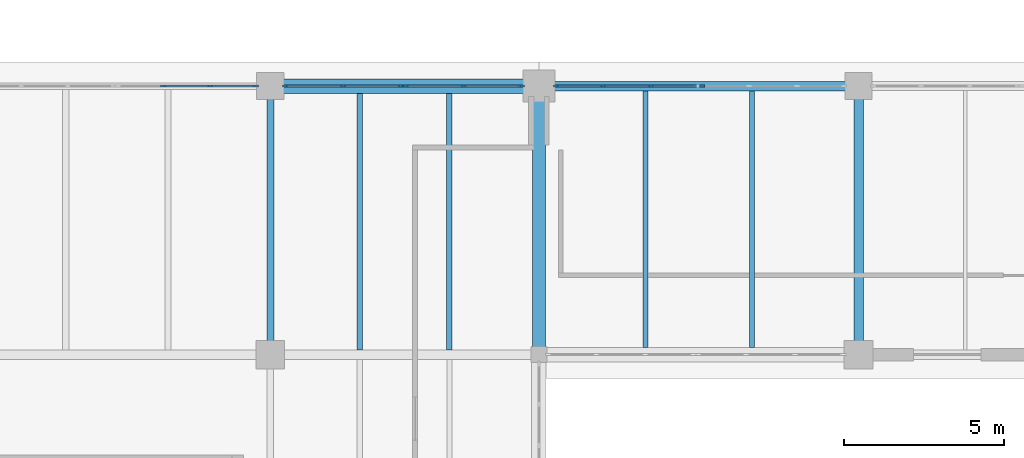
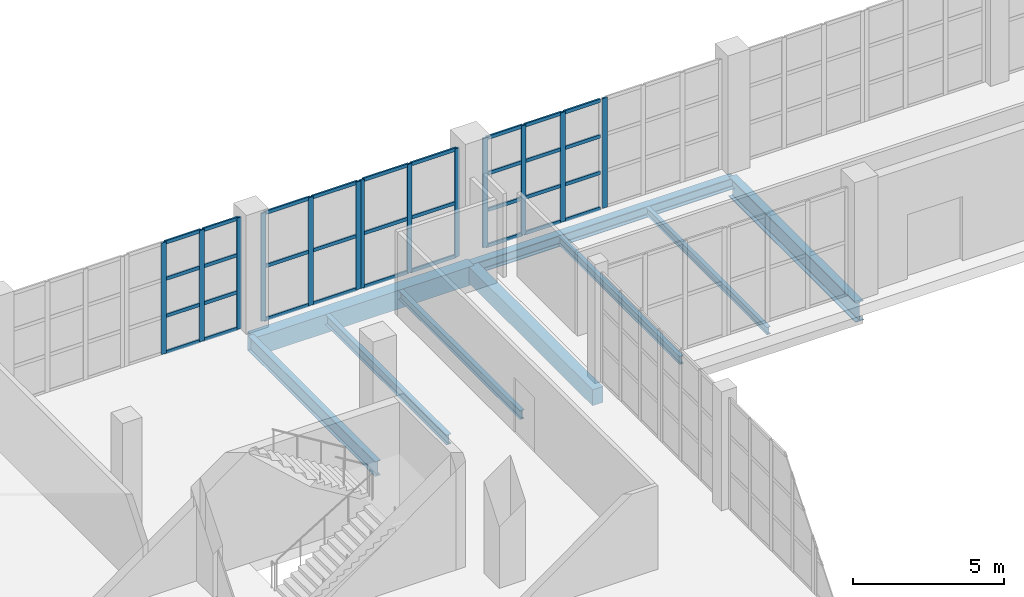
# One storey, part 14 of 121: 45 members, 9 beams, 5 elements without a shape of their own.
"""IFC4 building model written with IfcOpenShell, lengths in metres."""

import ifcopenshell
import ifcopenshell.guid

model = None  # the IFC model being written
_history = None  # IfcOwnerHistory: only IFC2X3 demands one
_inside = {}  # id of a spatial element -> (the spatial element, [elements in it])
_under = {}  # id of a project, library or spatial element -> (it, [spatial elements below it])
_declared = {}  # id of a project -> (the project, [libraries it declares])
_typed = {}  # id of a type object -> (the type object, [elements of that type])
_made_of = {}  # id of a material, layer set ... -> (it, [elements and type objects made of it])


def new_model(schema):
    """Start an empty IFC model of exactly this schema.

    Asked for "IFC4X3", IfcOpenShell would pick the latest addendum, in which some entities
    have other attributes; the version numbers below select the first issue.
    IFC2X3 requires an IfcOwnerHistory on every rooted entity: one is made here for all.
    """
    global model, _history
    if schema == "IFC4X3":
        model = ifcopenshell.file(schema_version=(4, 3, 0, 0))
    else:
        model = ifcopenshell.file(schema=schema)
    _inside.clear()
    _under.clear()
    _declared.clear()
    _typed.clear()
    _made_of.clear()
    _history = None
    if model.schema == "IFC2X3":
        org = make("IfcOrganization", Name="unknown")
        user = make(
            "IfcPersonAndOrganization",
            ThePerson=make("IfcPerson", FamilyName="unknown"),
            TheOrganization=org,
        )
        app = make(
            "IfcApplication",
            ApplicationDeveloper=org,
            Version="unknown",
            ApplicationFullName="unknown",
            ApplicationIdentifier="unknown",
        )
        _history = make(
            "IfcOwnerHistory",
            OwningUser=user,
            OwningApplication=app,
            ChangeAction="ADDED",
            CreationDate=0,
        )
    return model


def make(cls, **values):
    """One entity of the class cls with the attributes given. An attribute that is None is left unset."""
    return model.create_entity(
        cls, **{name: value for name, value in values.items() if value is not None}
    )


def rooted(cls, **values):
    """An entity with a GlobalId (a new one), such as an element, a storey or a relation."""
    return make(cls, GlobalId=ifcopenshell.guid.new(), OwnerHistory=_history, **values)


def si_unit(unit_type, name, prefix=None):
    """IfcSIUnit, for example si_unit("LENGTHUNIT", "METRE", prefix="MILLI")."""
    return make("IfcSIUnit", UnitType=unit_type, Prefix=prefix, Name=name)


def assignment(units):
    """IfcUnitAssignment: the units of a project."""
    return None if units is None else make("IfcUnitAssignment", Units=units)


def point(xyz):
    """IfcCartesianPoint."""
    return None if xyz is None else make("IfcCartesianPoint", Coordinates=xyz)


def direction(xyz):
    """IfcDirection."""
    return None if xyz is None else make("IfcDirection", DirectionRatios=xyz)


def frame(location, z_axis=None, x_axis=None):
    """IfcAxis2Placement3D, a coordinate frame: its origin and axes. An axis left out is left unset."""
    return make(
        "IfcAxis2Placement3D",
        Location=point(location),
        Axis=direction(z_axis),
        RefDirection=direction(x_axis),
    )


def frame_2d(location, x_axis=None):
    """IfcAxis2Placement2D, a coordinate frame in the plane: its origin and x axis."""
    return make(
        "IfcAxis2Placement2D", Location=point(location), RefDirection=direction(x_axis)
    )


def origin():
    """The frame at (0, 0, 0) with its axes left unset."""
    return frame((0.0, 0.0, 0.0))


def origin_2d():
    """The frame at (0, 0) in the plane with its x axis left unset."""
    return frame_2d((0.0, 0.0))


def place(relative_to, where):
    """IfcLocalPlacement: puts the frame where relative to a parent placement (None: the world)."""
    return make(
        "IfcLocalPlacement", PlacementRelTo=relative_to, RelativePlacement=where
    )


def context(
    kind, dimensions, precision=None, world=None, true_north=None, identifier=None
):
    """IfcGeometricRepresentationContext, for example the 3D "Model" context."""
    return make(
        "IfcGeometricRepresentationContext",
        ContextIdentifier=identifier,
        ContextType=kind,
        CoordinateSpaceDimension=dimensions,
        Precision=precision,
        WorldCoordinateSystem=world,
        TrueNorth=true_north,
    )


def subcontext(parent, identifier, kind, view, scale=None):
    """IfcGeometricRepresentationSubContext, for example "Body" below "Model"."""
    return make(
        "IfcGeometricRepresentationSubContext",
        ContextIdentifier=identifier,
        ContextType=kind,
        ParentContext=parent,
        TargetScale=scale,
        TargetView=view,
    )


def project(units=None, contexts=None):
    """IfcProject with its units and contexts."""
    return rooted(
        "IfcProject",
        Name="project",
        RepresentationContexts=contexts,
        UnitsInContext=assignment(units),
    )


def spatial(cls, under=None, at=None, **own):
    """A site, building, storey or space (cls), placed at a placement, below another one or the project."""
    s = rooted(cls, ObjectPlacement=at, **own)
    if under is not None:
        _under.setdefault(under.id(), (under, []))[1].append(s)
    return s


def profile(cls, at=None, kind="AREA", **sizes):
    """A parametric profile (cls). Its sizes go by their IFC names, for example OverallWidth=200.0."""
    return make(cls, ProfileType=kind, Position=at, **sizes)


def rectangle(**sizes):
    """IfcRectangleProfileDef."""
    return profile("IfcRectangleProfileDef", **sizes)


def i_section(**sizes):
    """IfcIShapeProfileDef."""
    return profile("IfcIShapeProfileDef", **sizes)


def extrude(swept, where, along, depth):
    """IfcExtrudedAreaSolid: the profile swept, set in the frame where, extruded along a direction by depth."""
    return make(
        "IfcExtrudedAreaSolid",
        SweptArea=swept,
        Position=where,
        ExtrudedDirection=direction(along),
        Depth=depth,
    )


def shape(context_of_items, identifier, shape_type, items):
    """IfcShapeRepresentation: the items that make up one representation, for example the "Body"."""
    return make(
        "IfcShapeRepresentation",
        ContextOfItems=context_of_items,
        RepresentationIdentifier=identifier,
        RepresentationType=shape_type,
        Items=items,
    )


def material(Name=None, Category=None):
    """IfcMaterial."""
    return make("IfcMaterial", Name=Name, Category=Category)


def layer(
    of_material, thickness, ventilated=None, Name=None, Category=None, Priority=None
):
    """IfcMaterialLayer: one layer of a wall or slab, of a material (None: an air gap)."""
    return make(
        "IfcMaterialLayer",
        Material=of_material,
        LayerThickness=thickness,
        IsVentilated=ventilated,
        Name=Name,
        Category=Category,
        Priority=Priority,
    )


def layer_set(layers, Name=None):
    """IfcMaterialLayerSet."""
    return make("IfcMaterialLayerSet", MaterialLayers=layers, LayerSetName=Name)


def material_profile(
    of_material, cross_section, Name=None, Category=None, Priority=None
):
    """IfcMaterialProfile: a cross section and its material."""
    return make(
        "IfcMaterialProfile",
        Name=Name,
        Material=of_material,
        Profile=cross_section,
        Priority=Priority,
        Category=Category,
    )


def profile_set(profiles, Name=None, composite=None):
    """IfcMaterialProfileSet."""
    return make(
        "IfcMaterialProfileSet",
        Name=Name,
        MaterialProfiles=profiles,
        CompositeProfile=composite,
    )


def made_of(thing, what):
    """Note that an element or type object is made of a material, layer set ...; save() writes the relation."""
    if what is not None:
        _made_of.setdefault(what.id(), (what, []))[1].append(thing)
    return thing


def type_object(cls, material=None, **own):
    """A type object (cls), such as IfcWallType, which elements share."""
    return made_of(rooted(cls, **own), material)


def element(
    cls,
    number,
    at=None,
    inside=None,
    cuts=None,
    type_object=None,
    material=None,
    context=None,
    identifier="Body",
    shape_type=None,
    held_by="IfcProductDefinitionShape",
    body=None,
    shapes=None,
    **own,
):
    """One element of the class cls, such as IfcWall. Its Tag is "e" and its number.

    at: its placement. inside: the storey or other place that contains it. cuts: it is an
    opening in that element (IfcRelVoidsElement). A single representation is given by context,
    identifier, shape_type and body (its items); several are given by shapes. held_by: the class
    of the entity that holds the representations. save() writes the other relations.
    """
    e = rooted(cls, Tag="e%d" % number, ObjectPlacement=at, **own)
    if body is not None:
        shapes = [shape(context, identifier, shape_type, body)]
    if shapes is not None:
        e.Representation = make(held_by, Representations=shapes)
    if inside is not None:
        _inside.setdefault(inside.id(), (inside, []))[1].append(e)
    if cuts is not None:
        rooted(
            "IfcRelVoidsElement", RelatingBuildingElement=cuts, RelatedOpeningElement=e
        )
    if type_object is not None:
        _typed.setdefault(type_object.id(), (type_object, []))[1].append(e)
    return made_of(e, material)


def aggregate(whole, parts):
    """IfcRelAggregates: a whole, such as a stair, and the parts it consists of."""
    return rooted("IfcRelAggregates", RelatingObject=whole, RelatedObjects=parts)


def save(model, path):
    """Write the relations noted so far, then the file.

    IfcRelAggregates (storeys below a building ...), IfcRelContainedInSpatialStructure (elements
    in a storey), IfcRelDefinesByType, IfcRelAssociatesMaterial and IfcRelDeclares: one each for
    every whole, place, type object, material and project.
    """
    for whole, parts in _under.values():
        aggregate(whole, parts)
    for where, things in _inside.values():
        rooted(
            "IfcRelContainedInSpatialStructure",
            RelatedElements=things,
            RelatingStructure=where,
        )
    for kind, things in _typed.values():
        rooted("IfcRelDefinesByType", RelatedObjects=things, RelatingType=kind)
    for what, things in _made_of.values():
        rooted("IfcRelAssociatesMaterial", RelatedObjects=things, RelatingMaterial=what)
    for by, libraries in _declared.values():
        rooted("IfcRelDeclares", RelatingContext=by, RelatedDefinitions=libraries)
    model.write(path)


model = new_model("IFC4")

# Units and contexts
model_context = context("Model", 3, precision=1e-05, world=origin(), true_north=direction((0.0, 1.0)))
body_context = subcontext(model_context, "Body", "Model", "MODEL_VIEW")
ifc_project = project(units=[si_unit("LENGTHUNIT", "METRE"), si_unit("AREAUNIT", "SQUARE_METRE"), si_unit("VOLUMEUNIT", "CUBIC_METRE"), si_unit("PLANEANGLEUNIT", "RADIAN"), si_unit("MASSUNIT", "GRAM", prefix="KILO")], contexts=[model_context])

# Site, building, storey
site_placement = place(None, origin())
site = spatial("IfcSite", under=ifc_project, at=site_placement, CompositionType="ELEMENT")
building_placement = place(site_placement, origin())
building = spatial("IfcBuilding", under=site, at=building_placement, Name="Zereglee Splitstone Museum", CompositionType="ELEMENT")
storey_placement = place(building_placement, origin())
storey = spatial("IfcBuildingStorey", under=building, at=storey_placement, Name="L00", CompositionType="ELEMENT", Elevation=0.0)

# Beam
ifc_material_1 = material(Name="Concrete C40/50", Category="concrete")
ifc_material_profile_1 = material_profile(ifc_material_1, rectangle(XDim=0.39990234375, YDim=0.64990234375, at=origin_2d()), Name="RC 400x650")
ifc_profile_set_1 = profile_set([ifc_material_profile_1], Name="Concrete C40/50")
beam_type_1 = type_object("IfcBeamType", Name="BG-04", PredefinedType="BEAM", material=ifc_profile_set_1)
beam_1_placement = place(storey_placement, frame((48.0, 30.0, -0.7451171875), z_axis=(0.0, 1.0, 0.0), x_axis=(-1.0, 0.0, 0.0)))
element("IfcBeam", 1, at=beam_1_placement, inside=storey, type_object=beam_type_1, Name="Primary Girder L00 7 (30.0-38.4)", PredefinedType="BEAM", context=body_context, shape_type="SweptSolid", body=[
    extrude(rectangle(XDim=0.39990234375, YDim=0.64990234375, at=origin_2d()), origin(), (0.0, 0.0, 1.0), 8.39990234375),
])

# Curtain wall, member
ifc_material_2 = material(Name="Triple-glazed low-E argon glass and bronze-anodised aluminium", Category="aluminium")
ifc_layer_1 = layer(ifc_material_2, 0.179931640625)
ifc_layer_set_1 = layer_set([ifc_layer_1], Name="Triple-glazed low-E argon glass and bronze-anodised aluminium")
curtain_wall_type_1 = type_object("IfcCurtainWallType", Name="CW-0449-444", PredefinedType="USERDEFINED", material=ifc_layer_set_1)
curtain_wall_1_placement = place(storey_placement, origin())
curtain_wall_1 = element("IfcCurtainWall", 2, at=curtain_wall_1_placement, inside=storey, type_object=curtain_wall_type_1, Name="Glazed Curtain Wall CW-0449-444 (L00)", ObjectType="GLAZED CURTAIN WALL", PredefinedType="USERDEFINED")
ifc_material_3 = material(Name="Thermally broken bronze-anodised aluminium", Category="aluminium")
ifc_material_profile_2 = material_profile(ifc_material_3, rectangle(XDim=0.06494140625, YDim=0.179931640625, at=origin_2d()), Name="CW MULL 65x180")
ifc_profile_set_2 = profile_set([ifc_material_profile_2], Name="Thermally broken bronze-anodised aluminium")
member_type_1 = type_object("IfcMemberType", Name="CWM-01", PredefinedType="MULLION", material=ifc_profile_set_2)
member_1_placement = place(storey_placement, frame((53.110107421875, 38.39990234375, 0.0), z_axis=(0.0, 0.0, 1.0), x_axis=(0.0, -1.0, 0.0)))
member_1 = element("IfcMember", 3, at=member_1_placement, type_object=member_type_1, Name="CW-0449-444 mullion 4", PredefinedType="MULLION", context=body_context, shape_type="SweptSolid", body=[
    extrude(rectangle(XDim=0.06494140625, YDim=0.179931640625, at=origin_2d()), origin(), (0.0, 0.0, 1.0), 4.43994140625),
])
aggregate(curtain_wall_1, [member_1])

# Curtain wall, members
ifc_layer_2 = layer(ifc_material_2, 0.179931640625)
ifc_layer_set_2 = layer_set([ifc_layer_2], Name="Triple-glazed low-E argon glass and bronze-anodised aluminium")
curtain_wall_type_2 = type_object("IfcCurtainWallType", Name="CW-0449-442", PredefinedType="USERDEFINED", material=ifc_layer_set_2)
curtain_wall_2_placement = place(storey_placement, origin())
curtain_wall_2 = element("IfcCurtainWall", 4, at=curtain_wall_2_placement, inside=storey, type_object=curtain_wall_type_2, Name="Glazed Curtain Wall CW-0449-442 (L00)", ObjectType="GLAZED CURTAIN WALL", PredefinedType="USERDEFINED")
member_2_placement = place(storey_placement, frame((51.5009765625, 38.39990234375, 0.0), z_axis=(0.0, 0.0, 1.0), x_axis=(0.0, -1.0, 0.0)))
member_2 = element("IfcMember", 5, at=member_2_placement, type_object=member_type_1, Name="CW-0449-442 mullion 2", PredefinedType="MULLION", context=body_context, shape_type="SweptSolid", body=[
    extrude(rectangle(XDim=0.06494140625, YDim=0.179931640625, at=origin_2d()), origin(), (0.0, 0.0, 1.0), 4.419921875),
])
member_3_placement = place(storey_placement, frame((50.00439453125, 38.39990234375, 0.0), z_axis=(0.0, 0.0, 1.0), x_axis=(0.0, -1.0, 0.0)))
member_3 = element("IfcMember", 6, at=member_3_placement, type_object=member_type_1, Name="CW-0449-442 mullion 3", PredefinedType="MULLION", context=body_context, shape_type="SweptSolid", body=[
    extrude(rectangle(XDim=0.06494140625, YDim=0.179931640625, at=origin_2d()), origin(), (0.0, 0.0, 1.0), 4.419921875),
])
member_4_placement = place(storey_placement, frame((48.54052734375, 38.39990234375, 0.0), z_axis=(0.0, 0.0, 1.0), x_axis=(0.0, -1.0, 0.0)))
member_4 = element("IfcMember", 7, at=member_4_placement, type_object=member_type_1, Name="CW-0449-442 mullion 4", PredefinedType="MULLION", context=body_context, shape_type="SweptSolid", body=[
    extrude(rectangle(XDim=0.06494140625, YDim=0.179931640625, at=origin_2d()), origin(), (0.0, 0.0, 1.0), 4.419921875),
])

ifc_layer_3 = layer(ifc_material_2, 0.179931640625)
ifc_layer_set_3 = layer_set([ifc_layer_3], Name="Triple-glazed low-E argon glass and bronze-anodised aluminium")
curtain_wall_type_3 = type_object("IfcCurtainWallType", Name="CW-0369-438", PredefinedType="USERDEFINED", material=ifc_layer_set_3)
curtain_wall_3_placement = place(storey_placement, origin())
curtain_wall_3 = element("IfcCurtainWall", 8, at=curtain_wall_3_placement, inside=storey, type_object=curtain_wall_type_3, Name="Glazed Curtain Wall CW-0369-438 (L00)", ObjectType="GLAZED CURTAIN WALL", PredefinedType="USERDEFINED")
member_5_placement = place(storey_placement, frame((47.45947265625, 38.39990234375, 0.0), z_axis=(0.0, 0.0, 1.0), x_axis=(0.0, -1.0, 0.0)))
member_5 = element("IfcMember", 9, at=member_5_placement, type_object=member_type_1, Name="CW-0369-438 mullion 1", PredefinedType="MULLION", context=body_context, shape_type="SweptSolid", body=[
    extrude(rectangle(XDim=0.06494140625, YDim=0.179931640625, at=origin_2d()), origin(), (0.0, 0.0, 1.0), 4.3798828125),
])
member_6_placement = place(storey_placement, frame((45.647216796875, 38.39990234375, 0.0), z_axis=(0.0, 0.0, 1.0), x_axis=(0.0, -1.0, 0.0)))
member_6 = element("IfcMember", 10, at=member_6_placement, type_object=member_type_1, Name="CW-0369-438 mullion 2", PredefinedType="MULLION", context=body_context, shape_type="SweptSolid", body=[
    extrude(rectangle(XDim=0.06494140625, YDim=0.179931640625, at=origin_2d()), origin(), (0.0, 0.0, 1.0), 4.3798828125),
])
member_7_placement = place(storey_placement, frame((43.8349609375, 38.39990234375, 0.0), z_axis=(0.0, 0.0, 1.0), x_axis=(0.0, -1.0, 0.0)))
member_7 = element("IfcMember", 11, at=member_7_placement, type_object=member_type_1, Name="CW-0369-438 mullion 3", PredefinedType="MULLION", context=body_context, shape_type="SweptSolid", body=[
    extrude(rectangle(XDim=0.06494140625, YDim=0.179931640625, at=origin_2d()), origin(), (0.0, 0.0, 1.0), 4.3798828125),
])

ifc_layer_4 = layer(ifc_material_2, 0.179931640625)
ifc_layer_set_4 = layer_set([ifc_layer_4], Name="Triple-glazed low-E argon glass and bronze-anodised aluminium")
curtain_wall_type_4 = type_object("IfcCurtainWallType", Name="CW-0369-436", PredefinedType="USERDEFINED", material=ifc_layer_set_4)
curtain_wall_4_placement = place(storey_placement, origin())
curtain_wall_4 = element("IfcCurtainWall", 12, at=curtain_wall_4_placement, inside=storey, type_object=curtain_wall_type_4, Name="Glazed Curtain Wall CW-0369-436 (L00)", ObjectType="GLAZED CURTAIN WALL", PredefinedType="USERDEFINED")
member_8_placement = place(storey_placement, frame((43.68994140625, 38.39990234375, 0.0), z_axis=(0.0, 0.0, 1.0), x_axis=(0.0, -1.0, 0.0)))
member_8 = element("IfcMember", 13, at=member_8_placement, type_object=member_type_1, Name="CW-0369-436 mullion 1", PredefinedType="MULLION", context=body_context, shape_type="SweptSolid", body=[
    extrude(rectangle(XDim=0.06494140625, YDim=0.179931640625, at=origin_2d()), origin(), (0.0, 0.0, 1.0), 4.360107421875),
])
member_9_placement = place(storey_placement, frame((41.877685546875, 38.39990234375, 0.0), z_axis=(0.0, 0.0, 1.0), x_axis=(0.0, -1.0, 0.0)))
member_9 = element("IfcMember", 14, at=member_9_placement, type_object=member_type_1, Name="CW-0369-436 mullion 2", PredefinedType="MULLION", context=body_context, shape_type="SweptSolid", body=[
    extrude(rectangle(XDim=0.06494140625, YDim=0.179931640625, at=origin_2d()), origin(), (0.0, 0.0, 1.0), 4.360107421875),
])
member_10_placement = place(storey_placement, frame((40.0654296875, 38.39990234375, 0.0), z_axis=(0.0, 0.0, 1.0), x_axis=(0.0, -1.0, 0.0)))
member_10 = element("IfcMember", 15, at=member_10_placement, type_object=member_type_1, Name="CW-0369-436 mullion 3", PredefinedType="MULLION", context=body_context, shape_type="SweptSolid", body=[
    extrude(rectangle(XDim=0.06494140625, YDim=0.179931640625, at=origin_2d()), origin(), (0.0, 0.0, 1.0), 4.360107421875),
])

ifc_layer_5 = layer(ifc_material_2, 0.179931640625)
ifc_layer_set_5 = layer_set([ifc_layer_5], Name="Triple-glazed low-E argon glass and bronze-anodised aluminium")
curtain_wall_type_5 = type_object("IfcCurtainWallType", Name="CW-0436-450", PredefinedType="USERDEFINED", material=ifc_layer_set_5)
curtain_wall_5_placement = place(storey_placement, origin())
curtain_wall_5 = element("IfcCurtainWall", 16, at=curtain_wall_5_placement, inside=storey, type_object=curtain_wall_type_5, Name="Glazed Curtain Wall CW-0436-450 (L00)", ObjectType="GLAZED CURTAIN WALL", PredefinedType="USERDEFINED")
member_11_placement = place(storey_placement, frame((39.134521484375, 38.39990234375, 0.0), z_axis=(0.0, 0.0, 1.0), x_axis=(0.0, -1.0, 0.0)))
member_11 = element("IfcMember", 17, at=member_11_placement, type_object=member_type_1, Name="CW-0436-450 mullion 1", PredefinedType="MULLION", context=body_context, shape_type="SweptSolid", body=[
    extrude(rectangle(XDim=0.06494140625, YDim=0.179931640625, at=origin_2d()), origin(), (0.0, 0.0, 1.0), 4.5),
])
member_12_placement = place(storey_placement, frame((37.712158203125, 38.39990234375, 0.0), z_axis=(0.0, 0.0, 1.0), x_axis=(0.0, -1.0, 0.0)))
member_12 = element("IfcMember", 18, at=member_12_placement, type_object=member_type_1, Name="CW-0436-450 mullion 2", PredefinedType="MULLION", context=body_context, shape_type="SweptSolid", body=[
    extrude(rectangle(XDim=0.06494140625, YDim=0.179931640625, at=origin_2d()), origin(), (0.0, 0.0, 1.0), 4.5),
])
member_13_placement = place(storey_placement, frame((36.25732421875, 38.39990234375, 0.0), z_axis=(0.0, 0.0, 1.0), x_axis=(0.0, -1.0, 0.0)))
member_13 = element("IfcMember", 19, at=member_13_placement, type_object=member_type_1, Name="CW-0436-450 mullion 3", PredefinedType="MULLION", context=body_context, shape_type="SweptSolid", body=[
    extrude(rectangle(XDim=0.06494140625, YDim=0.179931640625, at=origin_2d()), origin(), (0.0, 0.0, 1.0), 4.5),
])

# Member
ifc_material_profile_3 = material_profile(ifc_material_3, rectangle(XDim=0.06494140625, YDim=0.139892578125, at=origin_2d()), Name="CW TRAN 65x140")
ifc_profile_set_3 = profile_set([ifc_material_profile_3], Name="Thermally broken bronze-anodised aluminium")
member_type_2 = type_object("IfcMemberType", Name="CWT-01", PredefinedType="USERDEFINED", material=ifc_profile_set_3)
member_14_placement = place(storey_placement, frame((52.9326171875, 38.39990234375, 0.032470703125), z_axis=(-1.0, 0.0, 0.0), x_axis=(0.0, -1.0, 0.0)))
member_14 = element("IfcMember", 20, at=member_14_placement, type_object=member_type_2, Name="CW-0449-442 transom 1.1", ObjectType="TRANSOM", PredefinedType="USERDEFINED", context=body_context, shape_type="SweptSolid", body=[
    extrude(rectangle(XDim=0.06494140625, YDim=0.139892578125, at=origin_2d()), origin(), (0.0, 0.0, 1.0), 1.399169921875),
])

member_15_placement = place(storey_placement, frame((52.9326171875, 38.39990234375, 1.473388671875), z_axis=(-1.0, 0.0, 0.0), x_axis=(0.0, -1.0, 0.0)))
member_15 = element("IfcMember", 21, at=member_15_placement, type_object=member_type_2, Name="CW-0449-442 transom 1.2", ObjectType="TRANSOM", PredefinedType="USERDEFINED", context=body_context, shape_type="SweptSolid", body=[
    extrude(rectangle(XDim=0.06494140625, YDim=0.139892578125, at=origin_2d()), origin(), (0.0, 0.0, 1.0), 1.399169921875),
])

member_16_placement = place(storey_placement, frame((52.9326171875, 38.39990234375, 2.94677734375), z_axis=(-1.0, 0.0, 0.0), x_axis=(0.0, -1.0, 0.0)))
member_16 = element("IfcMember", 22, at=member_16_placement, type_object=member_type_2, Name="CW-0449-442 transom 1.3", ObjectType="TRANSOM", PredefinedType="USERDEFINED", context=body_context, shape_type="SweptSolid", body=[
    extrude(rectangle(XDim=0.06494140625, YDim=0.139892578125, at=origin_2d()), origin(), (0.0, 0.0, 1.0), 1.399169921875),
])

member_17_placement = place(storey_placement, frame((52.9326171875, 38.39990234375, 4.387451171875), z_axis=(-1.0, 0.0, 0.0), x_axis=(0.0, -1.0, 0.0)))
member_17 = element("IfcMember", 23, at=member_17_placement, type_object=member_type_2, Name="CW-0449-442 transom 1.4", ObjectType="TRANSOM", PredefinedType="USERDEFINED", context=body_context, shape_type="SweptSolid", body=[
    extrude(rectangle(XDim=0.06494140625, YDim=0.139892578125, at=origin_2d()), origin(), (0.0, 0.0, 1.0), 1.399169921875),
])

member_18_placement = place(storey_placement, frame((51.468505859375, 38.39990234375, 0.032470703125), z_axis=(-1.0, 0.0, 0.0), x_axis=(0.0, -1.0, 0.0)))
member_18 = element("IfcMember", 24, at=member_18_placement, type_object=member_type_2, Name="CW-0449-442 transom 2.1", ObjectType="TRANSOM", PredefinedType="USERDEFINED", context=body_context, shape_type="SweptSolid", body=[
    extrude(rectangle(XDim=0.06494140625, YDim=0.139892578125, at=origin_2d()), origin(), (0.0, 0.0, 1.0), 1.431396484375),
])

member_19_placement = place(storey_placement, frame((51.468505859375, 38.39990234375, 1.473388671875), z_axis=(-1.0, 0.0, 0.0), x_axis=(0.0, -1.0, 0.0)))
member_19 = element("IfcMember", 25, at=member_19_placement, type_object=member_type_2, Name="CW-0449-442 transom 2.2", ObjectType="TRANSOM", PredefinedType="USERDEFINED", context=body_context, shape_type="SweptSolid", body=[
    extrude(rectangle(XDim=0.06494140625, YDim=0.139892578125, at=origin_2d()), origin(), (0.0, 0.0, 1.0), 1.431396484375),
])

member_20_placement = place(storey_placement, frame((51.468505859375, 38.39990234375, 2.94677734375), z_axis=(-1.0, 0.0, 0.0), x_axis=(0.0, -1.0, 0.0)))
member_20 = element("IfcMember", 26, at=member_20_placement, type_object=member_type_2, Name="CW-0449-442 transom 2.3", ObjectType="TRANSOM", PredefinedType="USERDEFINED", context=body_context, shape_type="SweptSolid", body=[
    extrude(rectangle(XDim=0.06494140625, YDim=0.139892578125, at=origin_2d()), origin(), (0.0, 0.0, 1.0), 1.431396484375),
])

member_21_placement = place(storey_placement, frame((51.468505859375, 38.39990234375, 4.387451171875), z_axis=(-1.0, 0.0, 0.0), x_axis=(0.0, -1.0, 0.0)))
member_21 = element("IfcMember", 27, at=member_21_placement, type_object=member_type_2, Name="CW-0449-442 transom 2.4", ObjectType="TRANSOM", PredefinedType="USERDEFINED", context=body_context, shape_type="SweptSolid", body=[
    extrude(rectangle(XDim=0.06494140625, YDim=0.139892578125, at=origin_2d()), origin(), (0.0, 0.0, 1.0), 1.431396484375),
])

member_22_placement = place(storey_placement, frame((49.971923828125, 38.39990234375, 0.032470703125), z_axis=(-1.0, 0.0, 0.0), x_axis=(0.0, -1.0, 0.0)))
member_22 = element("IfcMember", 28, at=member_22_placement, type_object=member_type_2, Name="CW-0449-442 transom 3.1", ObjectType="TRANSOM", PredefinedType="USERDEFINED", context=body_context, shape_type="SweptSolid", body=[
    extrude(rectangle(XDim=0.06494140625, YDim=0.139892578125, at=origin_2d()), origin(), (0.0, 0.0, 1.0), 1.39892578125),
])

member_23_placement = place(storey_placement, frame((49.971923828125, 38.39990234375, 1.473388671875), z_axis=(-1.0, 0.0, 0.0), x_axis=(0.0, -1.0, 0.0)))
member_23 = element("IfcMember", 29, at=member_23_placement, type_object=member_type_2, Name="CW-0449-442 transom 3.2", ObjectType="TRANSOM", PredefinedType="USERDEFINED", context=body_context, shape_type="SweptSolid", body=[
    extrude(rectangle(XDim=0.06494140625, YDim=0.139892578125, at=origin_2d()), origin(), (0.0, 0.0, 1.0), 1.39892578125),
])

member_24_placement = place(storey_placement, frame((49.971923828125, 38.39990234375, 2.94677734375), z_axis=(-1.0, 0.0, 0.0), x_axis=(0.0, -1.0, 0.0)))
member_24 = element("IfcMember", 30, at=member_24_placement, type_object=member_type_2, Name="CW-0449-442 transom 3.3", ObjectType="TRANSOM", PredefinedType="USERDEFINED", context=body_context, shape_type="SweptSolid", body=[
    extrude(rectangle(XDim=0.06494140625, YDim=0.139892578125, at=origin_2d()), origin(), (0.0, 0.0, 1.0), 1.39892578125),
])

member_25_placement = place(storey_placement, frame((49.971923828125, 38.39990234375, 4.387451171875), z_axis=(-1.0, 0.0, 0.0), x_axis=(0.0, -1.0, 0.0)))
member_25 = element("IfcMember", 31, at=member_25_placement, type_object=member_type_2, Name="CW-0449-442 transom 3.4", ObjectType="TRANSOM", PredefinedType="USERDEFINED", context=body_context, shape_type="SweptSolid", body=[
    extrude(rectangle(XDim=0.06494140625, YDim=0.139892578125, at=origin_2d()), origin(), (0.0, 0.0, 1.0), 1.39892578125),
])

aggregate(curtain_wall_2, [member_2, member_3, member_4, member_14, member_15, member_16, member_17, member_18, member_19, member_20, member_21, member_22, member_23, member_24, member_25])

member_26_placement = place(storey_placement, frame((47.427001953125, 38.39990234375, 0.032470703125), z_axis=(-1.0, 0.0, 0.0), x_axis=(0.0, -1.0, 0.0)))
member_26 = element("IfcMember", 32, at=member_26_placement, type_object=member_type_2, Name="CW-0369-438 transom 1.1", ObjectType="TRANSOM", PredefinedType="USERDEFINED", context=body_context, shape_type="SweptSolid", body=[
    extrude(rectangle(XDim=0.06494140625, YDim=0.139892578125, at=origin_2d()), origin(), (0.0, 0.0, 1.0), 1.747314453125),
])

member_27_placement = place(storey_placement, frame((47.427001953125, 38.39990234375, 2.18994140625), z_axis=(-1.0, 0.0, 0.0), x_axis=(0.0, -1.0, 0.0)))
member_27 = element("IfcMember", 33, at=member_27_placement, type_object=member_type_2, Name="CW-0369-438 transom 1.2", ObjectType="TRANSOM", PredefinedType="USERDEFINED", context=body_context, shape_type="SweptSolid", body=[
    extrude(rectangle(XDim=0.06494140625, YDim=0.139892578125, at=origin_2d()), origin(), (0.0, 0.0, 1.0), 1.747314453125),
])

member_28_placement = place(storey_placement, frame((47.427001953125, 38.39990234375, 4.347412109375), z_axis=(-1.0, 0.0, 0.0), x_axis=(0.0, -1.0, 0.0)))
member_28 = element("IfcMember", 34, at=member_28_placement, type_object=member_type_2, Name="CW-0369-438 transom 1.3", ObjectType="TRANSOM", PredefinedType="USERDEFINED", context=body_context, shape_type="SweptSolid", body=[
    extrude(rectangle(XDim=0.06494140625, YDim=0.139892578125, at=origin_2d()), origin(), (0.0, 0.0, 1.0), 1.747314453125),
])

member_29_placement = place(storey_placement, frame((45.61474609375, 38.39990234375, 0.032470703125), z_axis=(-1.0, 0.0, 0.0), x_axis=(0.0, -1.0, 0.0)))
member_29 = element("IfcMember", 35, at=member_29_placement, type_object=member_type_2, Name="CW-0369-438 transom 2.1", ObjectType="TRANSOM", PredefinedType="USERDEFINED", context=body_context, shape_type="SweptSolid", body=[
    extrude(rectangle(XDim=0.06494140625, YDim=0.139892578125, at=origin_2d()), origin(), (0.0, 0.0, 1.0), 1.747314453125),
])

member_30_placement = place(storey_placement, frame((45.61474609375, 38.39990234375, 2.18994140625), z_axis=(-1.0, 0.0, 0.0), x_axis=(0.0, -1.0, 0.0)))
member_30 = element("IfcMember", 36, at=member_30_placement, type_object=member_type_2, Name="CW-0369-438 transom 2.2", ObjectType="TRANSOM", PredefinedType="USERDEFINED", context=body_context, shape_type="SweptSolid", body=[
    extrude(rectangle(XDim=0.06494140625, YDim=0.139892578125, at=origin_2d()), origin(), (0.0, 0.0, 1.0), 1.747314453125),
])

member_31_placement = place(storey_placement, frame((45.61474609375, 38.39990234375, 4.347412109375), z_axis=(-1.0, 0.0, 0.0), x_axis=(0.0, -1.0, 0.0)))
member_31 = element("IfcMember", 37, at=member_31_placement, type_object=member_type_2, Name="CW-0369-438 transom 2.3", ObjectType="TRANSOM", PredefinedType="USERDEFINED", context=body_context, shape_type="SweptSolid", body=[
    extrude(rectangle(XDim=0.06494140625, YDim=0.139892578125, at=origin_2d()), origin(), (0.0, 0.0, 1.0), 1.747314453125),
])

aggregate(curtain_wall_3, [member_5, member_6, member_7, member_26, member_27, member_28, member_29, member_30, member_31])

member_32_placement = place(storey_placement, frame((43.657470703125, 38.39990234375, 0.032470703125), z_axis=(-1.0, 0.0, 0.0), x_axis=(0.0, -1.0, 0.0)))
member_32 = element("IfcMember", 38, at=member_32_placement, type_object=member_type_2, Name="CW-0369-436 transom 1.1", ObjectType="TRANSOM", PredefinedType="USERDEFINED", context=body_context, shape_type="SweptSolid", body=[
    extrude(rectangle(XDim=0.06494140625, YDim=0.139892578125, at=origin_2d()), origin(), (0.0, 0.0, 1.0), 1.747314453125),
])

member_33_placement = place(storey_placement, frame((43.657470703125, 38.39990234375, 2.179931640625), z_axis=(-1.0, 0.0, 0.0), x_axis=(0.0, -1.0, 0.0)))
member_33 = element("IfcMember", 39, at=member_33_placement, type_object=member_type_2, Name="CW-0369-436 transom 1.2", ObjectType="TRANSOM", PredefinedType="USERDEFINED", context=body_context, shape_type="SweptSolid", body=[
    extrude(rectangle(XDim=0.06494140625, YDim=0.139892578125, at=origin_2d()), origin(), (0.0, 0.0, 1.0), 1.747314453125),
])

member_34_placement = place(storey_placement, frame((43.657470703125, 38.39990234375, 4.327392578125), z_axis=(-1.0, 0.0, 0.0), x_axis=(0.0, -1.0, 0.0)))
member_34 = element("IfcMember", 40, at=member_34_placement, type_object=member_type_2, Name="CW-0369-436 transom 1.3", ObjectType="TRANSOM", PredefinedType="USERDEFINED", context=body_context, shape_type="SweptSolid", body=[
    extrude(rectangle(XDim=0.06494140625, YDim=0.139892578125, at=origin_2d()), origin(), (0.0, 0.0, 1.0), 1.747314453125),
])

member_35_placement = place(storey_placement, frame((41.84521484375, 38.39990234375, 0.032470703125), z_axis=(-1.0, 0.0, 0.0), x_axis=(0.0, -1.0, 0.0)))
member_35 = element("IfcMember", 41, at=member_35_placement, type_object=member_type_2, Name="CW-0369-436 transom 2.1", ObjectType="TRANSOM", PredefinedType="USERDEFINED", context=body_context, shape_type="SweptSolid", body=[
    extrude(rectangle(XDim=0.06494140625, YDim=0.139892578125, at=origin_2d()), origin(), (0.0, 0.0, 1.0), 1.747314453125),
])

member_36_placement = place(storey_placement, frame((41.84521484375, 38.39990234375, 2.179931640625), z_axis=(-1.0, 0.0, 0.0), x_axis=(0.0, -1.0, 0.0)))
member_36 = element("IfcMember", 42, at=member_36_placement, type_object=member_type_2, Name="CW-0369-436 transom 2.2", ObjectType="TRANSOM", PredefinedType="USERDEFINED", context=body_context, shape_type="SweptSolid", body=[
    extrude(rectangle(XDim=0.06494140625, YDim=0.139892578125, at=origin_2d()), origin(), (0.0, 0.0, 1.0), 1.747314453125),
])

member_37_placement = place(storey_placement, frame((41.84521484375, 38.39990234375, 4.327392578125), z_axis=(-1.0, 0.0, 0.0), x_axis=(0.0, -1.0, 0.0)))
member_37 = element("IfcMember", 43, at=member_37_placement, type_object=member_type_2, Name="CW-0369-436 transom 2.3", ObjectType="TRANSOM", PredefinedType="USERDEFINED", context=body_context, shape_type="SweptSolid", body=[
    extrude(rectangle(XDim=0.06494140625, YDim=0.139892578125, at=origin_2d()), origin(), (0.0, 0.0, 1.0), 1.747314453125),
])

aggregate(curtain_wall_4, [member_8, member_9, member_10, member_32, member_33, member_34, member_35, member_36, member_37])

member_38_placement = place(storey_placement, frame((39.10205078125, 38.39990234375, 0.032470703125), z_axis=(-1.0, 0.0, 0.0), x_axis=(0.0, -1.0, 0.0)))
member_38 = element("IfcMember", 44, at=member_38_placement, type_object=member_type_2, Name="CW-0436-450 transom 1.1", ObjectType="TRANSOM", PredefinedType="USERDEFINED", context=body_context, shape_type="SweptSolid", body=[
    extrude(rectangle(XDim=0.06494140625, YDim=0.139892578125, at=origin_2d()), origin(), (0.0, 0.0, 1.0), 1.357421875),
])

member_39_placement = place(storey_placement, frame((39.10205078125, 38.39990234375, 1.5), z_axis=(-1.0, 0.0, 0.0), x_axis=(0.0, -1.0, 0.0)))
member_39 = element("IfcMember", 45, at=member_39_placement, type_object=member_type_2, Name="CW-0436-450 transom 1.2", ObjectType="TRANSOM", PredefinedType="USERDEFINED", context=body_context, shape_type="SweptSolid", body=[
    extrude(rectangle(XDim=0.06494140625, YDim=0.139892578125, at=origin_2d()), origin(), (0.0, 0.0, 1.0), 1.357421875),
])

member_40_placement = place(storey_placement, frame((39.10205078125, 38.39990234375, 3.0), z_axis=(-1.0, 0.0, 0.0), x_axis=(0.0, -1.0, 0.0)))
member_40 = element("IfcMember", 46, at=member_40_placement, type_object=member_type_2, Name="CW-0436-450 transom 1.3", ObjectType="TRANSOM", PredefinedType="USERDEFINED", context=body_context, shape_type="SweptSolid", body=[
    extrude(rectangle(XDim=0.06494140625, YDim=0.139892578125, at=origin_2d()), origin(), (0.0, 0.0, 1.0), 1.357421875),
])

member_41_placement = place(storey_placement, frame((39.10205078125, 38.39990234375, 4.467529296875), z_axis=(-1.0, 0.0, 0.0), x_axis=(0.0, -1.0, 0.0)))
member_41 = element("IfcMember", 47, at=member_41_placement, type_object=member_type_2, Name="CW-0436-450 transom 1.4", ObjectType="TRANSOM", PredefinedType="USERDEFINED", context=body_context, shape_type="SweptSolid", body=[
    extrude(rectangle(XDim=0.06494140625, YDim=0.139892578125, at=origin_2d()), origin(), (0.0, 0.0, 1.0), 1.357421875),
])

member_42_placement = place(storey_placement, frame((37.6796875, 38.39990234375, 0.032470703125), z_axis=(-1.0, 0.0, 0.0), x_axis=(0.0, -1.0, 0.0)))
member_42 = element("IfcMember", 48, at=member_42_placement, type_object=member_type_2, Name="CW-0436-450 transom 2.1", ObjectType="TRANSOM", PredefinedType="USERDEFINED", context=body_context, shape_type="SweptSolid", body=[
    extrude(rectangle(XDim=0.06494140625, YDim=0.139892578125, at=origin_2d()), origin(), (0.0, 0.0, 1.0), 1.389892578125),
])

member_43_placement = place(storey_placement, frame((37.6796875, 38.39990234375, 1.5), z_axis=(-1.0, 0.0, 0.0), x_axis=(0.0, -1.0, 0.0)))
member_43 = element("IfcMember", 49, at=member_43_placement, type_object=member_type_2, Name="CW-0436-450 transom 2.2", ObjectType="TRANSOM", PredefinedType="USERDEFINED", context=body_context, shape_type="SweptSolid", body=[
    extrude(rectangle(XDim=0.06494140625, YDim=0.139892578125, at=origin_2d()), origin(), (0.0, 0.0, 1.0), 1.389892578125),
])

member_44_placement = place(storey_placement, frame((37.6796875, 38.39990234375, 3.0), z_axis=(-1.0, 0.0, 0.0), x_axis=(0.0, -1.0, 0.0)))
member_44 = element("IfcMember", 50, at=member_44_placement, type_object=member_type_2, Name="CW-0436-450 transom 2.3", ObjectType="TRANSOM", PredefinedType="USERDEFINED", context=body_context, shape_type="SweptSolid", body=[
    extrude(rectangle(XDim=0.06494140625, YDim=0.139892578125, at=origin_2d()), origin(), (0.0, 0.0, 1.0), 1.389892578125),
])

member_45_placement = place(storey_placement, frame((37.6796875, 38.39990234375, 4.467529296875), z_axis=(-1.0, 0.0, 0.0), x_axis=(0.0, -1.0, 0.0)))
member_45 = element("IfcMember", 51, at=member_45_placement, type_object=member_type_2, Name="CW-0436-450 transom 2.4", ObjectType="TRANSOM", PredefinedType="USERDEFINED", context=body_context, shape_type="SweptSolid", body=[
    extrude(rectangle(XDim=0.06494140625, YDim=0.139892578125, at=origin_2d()), origin(), (0.0, 0.0, 1.0), 1.389892578125),
])

aggregate(curtain_wall_5, [member_11, member_12, member_13, member_38, member_39, member_40, member_41, member_42, member_43, member_44, member_45])

# Beams
ifc_material_4 = material(Name="Steel S355J2", Category="steel")
ifc_material_profile_4 = material_profile(ifc_material_4, i_section(OverallWidth=0.300048828125, OverallDepth=0.800048828125, WebThickness=0.017578125, FlangeThickness=0.032958984375, FilletRadius=0.030029296875, at=origin_2d()), Name="HE 800 B")
ifc_profile_set_4 = profile_set([ifc_material_profile_4], Name="Steel S355J2")
beam_type_2 = type_object("IfcBeamType", Name="BG-07", PredefinedType="BEAM", material=ifc_profile_set_4)
beam_2_placement = place(storey_placement, frame((58.0, 30.0, -0.820068359375), z_axis=(0.0, 1.0, 0.0), x_axis=(-1.0, 0.0, 0.0)))
element("IfcBeam", 52, at=beam_2_placement, inside=storey, type_object=beam_type_2, Name="Primary Girder L00 8 (30.0-38.4)", PredefinedType="BEAM", context=body_context, shape_type="SweptSolid", body=[
    extrude(i_section(OverallWidth=0.300048828125, OverallDepth=0.800048828125, WebThickness=0.017578125, FlangeThickness=0.032958984375, FilletRadius=0.030029296875, at=origin_2d()), origin(), (0.0, 0.0, 1.0), 8.39990234375),
])
ifc_material_profile_5 = material_profile(ifc_material_4, i_section(OverallWidth=0.219970703125, OverallDepth=0.60009765625, WebThickness=0.011962890625, FlangeThickness=0.01904296875, FilletRadius=0.02392578125, at=origin_2d()), Name="IPE 600")
ifc_profile_set_5 = profile_set([ifc_material_profile_5], Name="Steel S355J2")
beam_type_3 = type_object("IfcBeamType", Name="BG-15", PredefinedType="BEAM", material=ifc_profile_set_5)
beam_3_placement = place(storey_placement, frame((39.60009765625, 30.0, -0.719970703125), z_axis=(0.0, 1.0, 0.0), x_axis=(-1.0, 0.0, 0.0)))
element("IfcBeam", 53, at=beam_3_placement, inside=storey, type_object=beam_type_3, Name="Primary Girder L00 6 (30.0-38.4)", PredefinedType="BEAM", context=body_context, shape_type="SweptSolid", body=[
    extrude(i_section(OverallWidth=0.219970703125, OverallDepth=0.60009765625, WebThickness=0.011962890625, FlangeThickness=0.01904296875, FilletRadius=0.02392578125, at=origin_2d()), origin(), (0.0, 0.0, 1.0), 8.39990234375),
])
ifc_material_profile_6 = material_profile(ifc_material_4, i_section(OverallWidth=0.14990234375, OverallDepth=0.300048828125, WebThickness=0.007080078125, FlangeThickness=0.0107421875, FilletRadius=0.014892578125, at=origin_2d()), Name="IPE 300")
ifc_profile_set_6 = profile_set([ifc_material_profile_6], Name="Steel S355J2")
beam_type_4 = type_object("IfcBeamType", Name="BJ-06", PredefinedType="JOIST", material=ifc_profile_set_6)
beam_4_placement = place(storey_placement, frame((54.666748046875, 30.22509765625, -0.570068359375), z_axis=(0.0, 1.0, 0.0), x_axis=(-1.0, 0.0, 0.0)))
element("IfcBeam", 54, at=beam_4_placement, inside=storey, type_object=beam_type_4, Name="Secondary Floor Joist L00-0348", PredefinedType="JOIST", context=body_context, shape_type="SweptSolid", body=[
    extrude(i_section(OverallWidth=0.14990234375, OverallDepth=0.300048828125, WebThickness=0.007080078125, FlangeThickness=0.0107421875, FilletRadius=0.014892578125, at=origin_2d()), origin(), (0.0, 0.0, 1.0), 8.02490234375),
])
ifc_material_profile_7 = material_profile(ifc_material_4, i_section(OverallWidth=0.159912109375, OverallDepth=0.330078125, WebThickness=0.007568359375, FlangeThickness=0.011474609375, FilletRadius=0.01806640625, at=origin_2d()), Name="IPE 330")
ifc_profile_set_7 = profile_set([ifc_material_profile_7], Name="Steel S355J2")
beam_type_5 = type_object("IfcBeamType", Name="BJ-05", PredefinedType="JOIST", material=ifc_profile_set_7)
beam_5_placement = place(storey_placement, frame((51.333251953125, 30.22509765625, -0.5849609375), z_axis=(0.0, 1.0, 0.0), x_axis=(-1.0, 0.0, 0.0)))
element("IfcBeam", 55, at=beam_5_placement, inside=storey, type_object=beam_type_5, Name="Secondary Floor Joist L00-0347", PredefinedType="JOIST", context=body_context, shape_type="SweptSolid", body=[
    extrude(i_section(OverallWidth=0.159912109375, OverallDepth=0.330078125, WebThickness=0.007568359375, FlangeThickness=0.011474609375, FilletRadius=0.01806640625, at=origin_2d()), origin(), (0.0, 0.0, 1.0), 8.02490234375),
])
ifc_material_profile_8 = material_profile(ifc_material_4, i_section(OverallWidth=0.169921875, OverallDepth=0.360107421875, WebThickness=0.008056640625, FlangeThickness=0.0126953125, FilletRadius=0.01806640625, at=origin_2d()), Name="IPE 360")
ifc_profile_set_8 = profile_set([ifc_material_profile_8], Name="Steel S355J2")
beam_type_6 = type_object("IfcBeamType", Name="BJ-04", PredefinedType="JOIST", material=ifc_profile_set_8)
beam_6_placement = place(storey_placement, frame((45.199951171875, 30.14990234375, -0.60009765625), z_axis=(0.0, 1.0, 0.0), x_axis=(-1.0, 0.0, 0.0)))
element("IfcBeam", 56, at=beam_6_placement, inside=storey, type_object=beam_type_6, Name="Secondary Floor Joist L00-0346", PredefinedType="JOIST", context=body_context, shape_type="SweptSolid", body=[
    extrude(i_section(OverallWidth=0.169921875, OverallDepth=0.360107421875, WebThickness=0.008056640625, FlangeThickness=0.0126953125, FilletRadius=0.01806640625, at=origin_2d()), origin(), (0.0, 0.0, 1.0), 8.025146484375),
])
ifc_material_profile_9 = material_profile(ifc_material_4, i_section(OverallWidth=0.179931640625, OverallDepth=0.39990234375, WebThickness=0.008544921875, FlangeThickness=0.013427734375, FilletRadius=0.02099609375, at=origin_2d()), Name="IPE 400")
ifc_profile_set_9 = profile_set([ifc_material_profile_9], Name="Steel S355J2")
beam_type_7 = type_object("IfcBeamType", Name="BJ-03", PredefinedType="JOIST", material=ifc_profile_set_9)
beam_7_placement = place(storey_placement, frame((42.39990234375, 30.14990234375, -0.6201171875), z_axis=(0.0, 1.0, 0.0), x_axis=(-1.0, 0.0, 0.0)))
element("IfcBeam", 57, at=beam_7_placement, inside=storey, type_object=beam_type_7, Name="Secondary Floor Joist L00-0345", PredefinedType="JOIST", context=body_context, shape_type="SweptSolid", body=[
    extrude(i_section(OverallWidth=0.179931640625, OverallDepth=0.39990234375, WebThickness=0.008544921875, FlangeThickness=0.013427734375, FilletRadius=0.02099609375, at=origin_2d()), origin(), (0.0, 0.0, 1.0), 8.025146484375),
])
ifc_material_profile_10 = material_profile(ifc_material_4, i_section(OverallWidth=0.300048828125, OverallDepth=0.449951171875, WebThickness=0.013916015625, FlangeThickness=0.02587890625, FilletRadius=0.027099609375, at=origin_2d()), Name="HE 450 B")
ifc_profile_set_10 = profile_set([ifc_material_profile_10], Name="Steel S355J2")
beam_type_8 = type_object("IfcBeamType", Name="SP-02", PredefinedType="SPANDREL", material=ifc_profile_set_10)
beam_8_placement = place(storey_placement, frame((48.0, 38.39990234375, -0.64501953125), z_axis=(1.0, 0.0, 0.0), x_axis=(0.0, 1.0, 0.0)))
element("IfcBeam", 58, at=beam_8_placement, inside=storey, type_object=beam_type_8, Name="Primary Girder L00 E (48.0-58.0)", PredefinedType="SPANDREL", context=body_context, shape_type="SweptSolid", body=[
    extrude(i_section(OverallWidth=0.300048828125, OverallDepth=0.449951171875, WebThickness=0.013916015625, FlangeThickness=0.02587890625, FilletRadius=0.027099609375, at=origin_2d()), origin(), (0.0, 0.0, 1.0), 10.0),
])
ifc_material_profile_11 = material_profile(ifc_material_1, rectangle(XDim=0.449951171875, YDim=0.75, at=origin_2d()), Name="RC 450x750")
ifc_profile_set_11 = profile_set([ifc_material_profile_11], Name="Concrete C40/50")
beam_type_9 = type_object("IfcBeamType", Name="SP-01", PredefinedType="SPANDREL", material=ifc_profile_set_11)
beam_9_placement = place(storey_placement, frame((39.60009765625, 38.39990234375, -0.794921875), z_axis=(1.0, 0.0, 0.0), x_axis=(0.0, 1.0, 0.0)))
element("IfcBeam", 59, at=beam_9_placement, inside=storey, type_object=beam_type_9, Name="Primary Girder L00 E (39.6-48.0)", PredefinedType="SPANDREL", context=body_context, shape_type="SweptSolid", body=[
    extrude(rectangle(XDim=0.449951171875, YDim=0.75, at=origin_2d()), origin(), (0.0, 0.0, 1.0), 8.39990234375),
])

save(model, "model.ifc")
